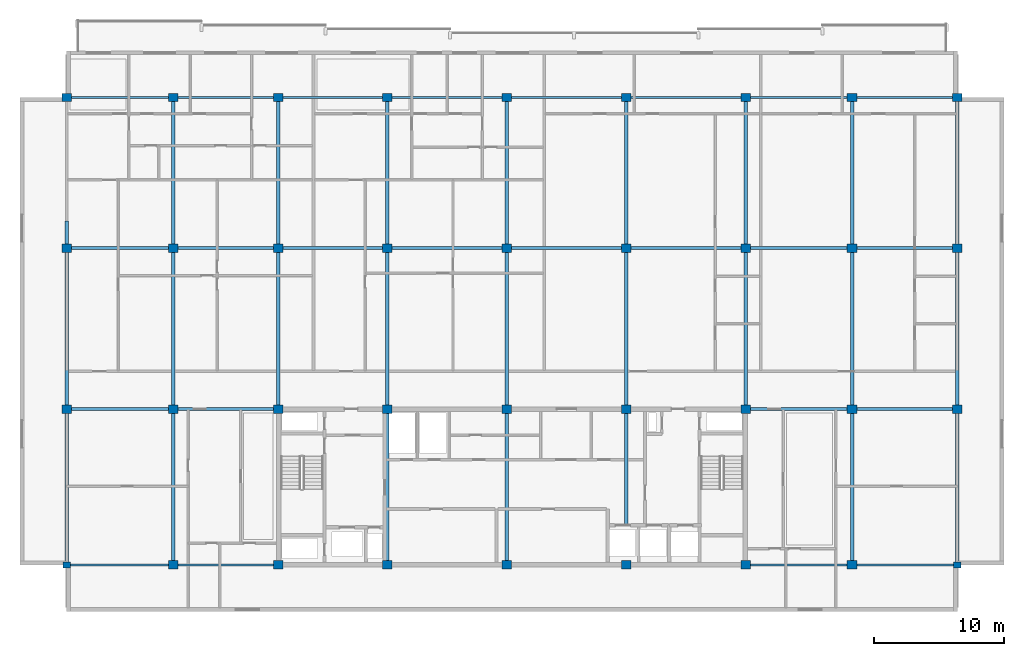
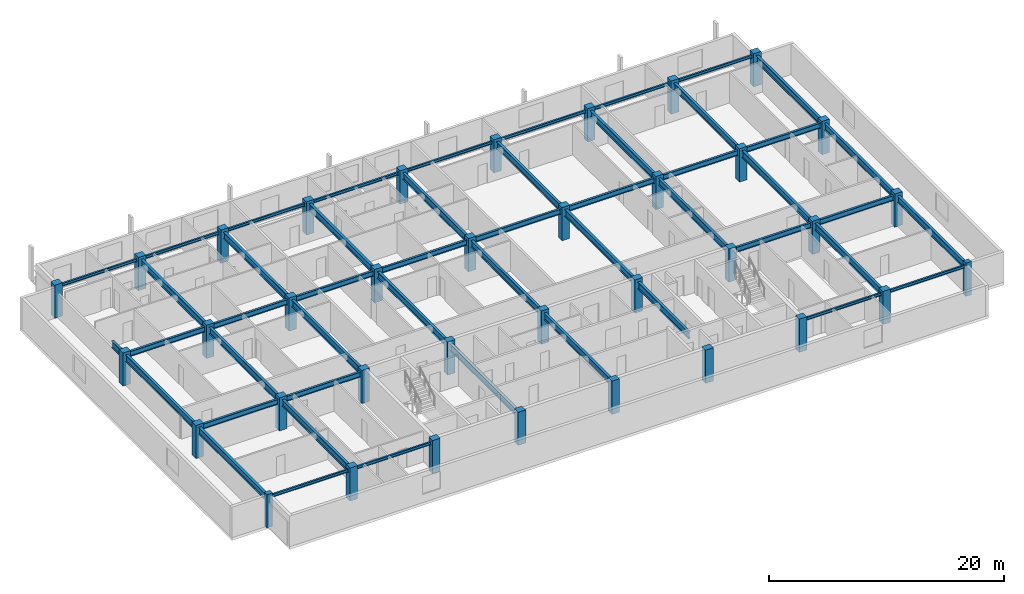
# One storey, part 1 of 11: 49 beams, 36 columns.
"""IFC4 building model written with IfcOpenShell, lengths in metres."""

from ifc_helpers import new_model, si_unit, direction, frame, origin, origin_2d, place, context, subcontext, project, spatial, rectangle, i_section, extrude, material, material_profile, profile_set, type_object, element, save


model = new_model("IFC4")

# Units and contexts
model_context = context("Model", 3, precision=1e-05, world=origin(), true_north=direction((0.0, 1.0)))
body_context = subcontext(model_context, "Body", "Model", "MODEL_VIEW")
ifc_project = project(units=[si_unit("LENGTHUNIT", "METRE"), si_unit("AREAUNIT", "SQUARE_METRE"), si_unit("VOLUMEUNIT", "CUBIC_METRE"), si_unit("PLANEANGLEUNIT", "RADIAN"), si_unit("MASSUNIT", "GRAM", prefix="KILO")], contexts=[model_context])

# Site, building, storey
site_placement = place(None, origin())
site = spatial("IfcSite", under=ifc_project, at=site_placement, CompositionType="ELEMENT")
building_placement = place(site_placement, origin())
building = spatial("IfcBuilding", under=site, at=building_placement, Name="Korimba Cascade Residences", CompositionType="ELEMENT")
storey_placement = place(building_placement, frame((0.0, 0.0, 256.25)))
storey = spatial("IfcBuildingStorey", under=building, at=storey_placement, Name="L74", CompositionType="ELEMENT", Elevation=256.25)

# Columns
ifc_material_1 = material(Name="Concrete C65/80", Category="concrete")
ifc_material_profile_1 = material_profile(ifc_material_1, rectangle(XDim=0.550048828125, YDim=0.449951171875, at=origin_2d()), Name="Concrete C65/80")
ifc_profile_set_1 = profile_set([ifc_material_profile_1], Name="Concrete C65/80")
column_type_1 = type_object("IfcColumnType", Name="COL-PIL-550", PredefinedType="PILASTER", material=ifc_profile_set_1)
for number, where, z_axis, x_axis, name in (
    (1, (59.800048828125, 55.199951171875, 0.0), (0.0, 0.0, 1.0), (1.0, 0.0, 0.0), "L74 Tower 1 Column 1.1"),
    (2, (128.39990234375, 55.199951171875, 0.0), (0.0, 0.0, 1.0), (1.0, 0.0, 0.0), "L74 Tower 1 Column 9.1"),
):
    element("IfcColumn", number, at=place(storey_placement, frame(where, z_axis=z_axis, x_axis=x_axis)), inside=storey, type_object=column_type_1, Name=name, PredefinedType="PILASTER", context=body_context, shape_type="SweptSolid", body=[
        extrude(rectangle(XDim=0.550048828125, YDim=0.449951171875, at=origin_2d()), origin(), (0.0, 0.0, 1.0), 3.449951171875),
    ])
ifc_material_2 = material(Name="Concrete C50/60", Category="concrete")
ifc_material_profile_2 = material_profile(ifc_material_2, rectangle(XDim=0.75, YDim=0.64990234375, at=origin_2d()), Name="Concrete C50/60")
ifc_profile_set_2 = profile_set([ifc_material_profile_2], Name="Concrete C50/60")
column_type_2 = type_object("IfcColumnType", Name="COL-RC-750", PredefinedType="COLUMN", material=ifc_profile_set_2)
for number, where, z_axis, x_axis, name in (
    (3, (59.800048828125, 67.199951171875, 0.0), (0.0, 0.0, 1.0), (1.0, 0.0, 0.0), "L74 Tower 1 Column 1.2"),
    (4, (59.800048828125, 79.60009765625, 0.0), (0.0, 0.0, 1.0), (1.0, 0.0, 0.0), "L74 Tower 1 Column 1.3"),
    (5, (59.800048828125, 91.199951171875, 0.0), (0.0, 0.0, 1.0), (1.0, 0.0, 0.0), "L74 Tower 1 Column 1.4"),
    (6, (68.0, 55.199951171875, 0.0), (0.0, 0.0, 1.0), (1.0, 0.0, 0.0), "L74 Tower 1 Column 2.1"),
    (7, (68.0, 67.199951171875, 0.0), (0.0, 0.0, 1.0), (1.0, 0.0, 0.0), "L74 Tower 1 Column 2.2"),
    (8, (68.0, 79.60009765625, 0.0), (0.0, 0.0, 1.0), (1.0, 0.0, 0.0), "L74 Tower 1 Column 2.3"),
    (9, (68.0, 91.199951171875, 0.0), (0.0, 0.0, 1.0), (1.0, 0.0, 0.0), "L74 Tower 1 Column 2.4"),
    (10, (76.10009765625, 55.199951171875, 0.0), (0.0, 0.0, 1.0), (1.0, 0.0, 0.0), "L74 Tower 1 Column 3.1"),
    (11, (76.10009765625, 67.199951171875, 0.0), (0.0, 0.0, 1.0), (1.0, 0.0, 0.0), "L74 Tower 1 Column 3.2"),
    (12, (76.10009765625, 79.60009765625, 0.0), (0.0, 0.0, 1.0), (1.0, 0.0, 0.0), "L74 Tower 1 Column 3.3"),
    (13, (76.10009765625, 91.199951171875, 0.0), (0.0, 0.0, 1.0), (1.0, 0.0, 0.0), "L74 Tower 1 Column 3.4"),
    (14, (84.5, 55.199951171875, 0.0), (0.0, 0.0, 1.0), (1.0, 0.0, 0.0), "L74 Tower 1 Column 4.1"),
    (15, (84.5, 67.199951171875, 0.0), (0.0, 0.0, 1.0), (1.0, 0.0, 0.0), "L74 Tower 1 Column 4.2"),
    (16, (84.5, 79.60009765625, 0.0), (0.0, 0.0, 1.0), (1.0, 0.0, 0.0), "L74 Tower 1 Column 4.3"),
    (17, (84.5, 91.199951171875, 0.0), (0.0, 0.0, 1.0), (1.0, 0.0, 0.0), "L74 Tower 1 Column 4.4"),
    (18, (93.699951171875, 55.199951171875, 0.0), (0.0, 0.0, 1.0), (1.0, 0.0, 0.0), "L74 Tower 1 Column 5.1"),
    (19, (93.699951171875, 67.199951171875, 0.0), (0.0, 0.0, 1.0), (1.0, 0.0, 0.0), "L74 Tower 1 Column 5.2"),
    (20, (93.699951171875, 79.60009765625, 0.0), (0.0, 0.0, 1.0), (1.0, 0.0, 0.0), "L74 Tower 1 Column 5.3"),
    (21, (93.699951171875, 91.199951171875, 0.0), (0.0, 0.0, 1.0), (1.0, 0.0, 0.0), "L74 Tower 1 Column 5.4"),
    (22, (102.89990234375, 55.199951171875, 0.0), (0.0, 0.0, 1.0), (1.0, 0.0, 0.0), "L74 Tower 1 Column 6.1"),
    (23, (102.89990234375, 67.199951171875, 0.0), (0.0, 0.0, 1.0), (1.0, 0.0, 0.0), "L74 Tower 1 Column 6.2"),
    (24, (102.89990234375, 79.60009765625, 0.0), (0.0, 0.0, 1.0), (1.0, 0.0, 0.0), "L74 Tower 1 Column 6.3"),
    (25, (102.89990234375, 91.199951171875, 0.0), (0.0, 0.0, 1.0), (1.0, 0.0, 0.0), "L74 Tower 1 Column 6.4"),
    (26, (112.10009765625, 55.199951171875, 0.0), (0.0, 0.0, 1.0), (1.0, 0.0, 0.0), "L74 Tower 1 Column 7.1"),
    (27, (112.10009765625, 67.199951171875, 0.0), (0.0, 0.0, 1.0), (1.0, 0.0, 0.0), "L74 Tower 1 Column 7.2"),
    (28, (112.10009765625, 79.60009765625, 0.0), (0.0, 0.0, 1.0), (1.0, 0.0, 0.0), "L74 Tower 1 Column 7.3"),
    (29, (112.10009765625, 91.199951171875, 0.0), (0.0, 0.0, 1.0), (1.0, 0.0, 0.0), "L74 Tower 1 Column 7.4"),
    (30, (120.300048828125, 55.199951171875, 0.0), (0.0, 0.0, 1.0), (1.0, 0.0, 0.0), "L74 Tower 1 Column 8.1"),
    (31, (120.300048828125, 67.199951171875, 0.0), (0.0, 0.0, 1.0), (1.0, 0.0, 0.0), "L74 Tower 1 Column 8.2"),
    (32, (120.300048828125, 79.60009765625, 0.0), (0.0, 0.0, 1.0), (1.0, 0.0, 0.0), "L74 Tower 1 Column 8.3"),
    (33, (120.300048828125, 91.199951171875, 0.0), (0.0, 0.0, 1.0), (1.0, 0.0, 0.0), "L74 Tower 1 Column 8.4"),
    (34, (128.39990234375, 67.199951171875, 0.0), (0.0, 0.0, 1.0), (1.0, 0.0, 0.0), "L74 Tower 1 Column 9.2"),
    (35, (128.39990234375, 79.60009765625, 0.0), (0.0, 0.0, 1.0), (1.0, 0.0, 0.0), "L74 Tower 1 Column 9.3"),
    (36, (128.39990234375, 91.199951171875, 0.0), (0.0, 0.0, 1.0), (1.0, 0.0, 0.0), "L74 Tower 1 Column 9.4"),
):
    element("IfcColumn", number, at=place(storey_placement, frame(where, z_axis=z_axis, x_axis=x_axis)), inside=storey, type_object=column_type_2, Name=name, PredefinedType="COLUMN", context=body_context, shape_type="SweptSolid", body=[
        extrude(rectangle(XDim=0.75, YDim=0.64990234375, at=origin_2d()), origin(), (0.0, 0.0, 1.0), 3.449951171875),
    ])

# Beams
ifc_material_3 = material(Name="Steel S355", Category="steel")
ifc_material_profile_3 = material_profile(ifc_material_3, i_section(OverallWidth=0.165771484375, OverallDepth=0.306640625, WebThickness=0.006591796875, FlangeThickness=0.01171875, FilletRadius=0.0087890625, at=origin_2d()), Name="Steel S355")
ifc_profile_set_3 = profile_set([ifc_material_profile_3], Name="Steel S355")
beam_type_1 = type_object("IfcBeamType", Name="BM-STL-UB305", PredefinedType="SPANDREL", material=ifc_profile_set_3)
beam_1_placement = place(storey_placement, frame((60.074951171875, 55.199951171875, 3.0166015625), z_axis=(1.0, 0.0, 0.0), x_axis=(0.0, 1.0, 0.0)))
element("IfcBeam", 37, at=beam_1_placement, inside=storey, type_object=beam_type_1, Name="L74 T1 E-W Girder Y1 Bay 1", PredefinedType="SPANDREL", context=body_context, shape_type="SweptSolid", body=[
    extrude(i_section(OverallWidth=0.165771484375, OverallDepth=0.306640625, WebThickness=0.006591796875, FlangeThickness=0.01171875, FilletRadius=0.0087890625, at=origin_2d()), origin(), (0.0, 0.0, 1.0), 7.550048828125),
])
beam_2_placement = place(storey_placement, frame((68.375, 55.199951171875, 3.0166015625), z_axis=(1.0, 0.0, 0.0), x_axis=(0.0, 1.0, 0.0)))
element("IfcBeam", 38, at=beam_2_placement, inside=storey, type_object=beam_type_1, Name="L74 T1 E-W Girder Y1 Bay 2", PredefinedType="SPANDREL", context=body_context, shape_type="SweptSolid", body=[
    extrude(i_section(OverallWidth=0.165771484375, OverallDepth=0.306640625, WebThickness=0.006591796875, FlangeThickness=0.01171875, FilletRadius=0.0087890625, at=origin_2d()), origin(), (0.0, 0.0, 1.0), 7.35009765625),
])
for number, where, z_axis, x_axis, name in (
    (39, (112.47509765625, 55.199951171875, 3.0166015625), (1.0, 0.0, 0.0), (0.0, 1.0, 0.0), "L74 T1 E-W Girder Y1 Bay 7"),
    (40, (120.675048828125, 55.199951171875, 3.0166015625), (1.0, 0.0, 0.0), (0.0, 1.0, 0.0), "L74 T1 E-W Girder Y1 Bay 8"),
    (41, (60.175048828125, 91.199951171875, 3.0166015625), (1.0, 0.0, 0.0), (0.0, 1.0, 0.0), "L74 T1 E-W Girder Y4 Bay 1"),
):
    element("IfcBeam", number, at=place(storey_placement, frame(where, z_axis=z_axis, x_axis=x_axis)), inside=storey, type_object=beam_type_1, Name=name, PredefinedType="SPANDREL", context=body_context, shape_type="SweptSolid", body=[
        extrude(i_section(OverallWidth=0.165771484375, OverallDepth=0.306640625, WebThickness=0.006591796875, FlangeThickness=0.01171875, FilletRadius=0.0087890625, at=origin_2d()), origin(), (0.0, 0.0, 1.0), 7.449951171875),
    ])
beam_3_placement = place(storey_placement, frame((68.375, 91.199951171875, 3.0166015625), z_axis=(1.0, 0.0, 0.0), x_axis=(0.0, 1.0, 0.0)))
element("IfcBeam", 42, at=beam_3_placement, inside=storey, type_object=beam_type_1, Name="L74 T1 E-W Girder Y4 Bay 2", PredefinedType="SPANDREL", context=body_context, shape_type="SweptSolid", body=[
    extrude(i_section(OverallWidth=0.165771484375, OverallDepth=0.306640625, WebThickness=0.006591796875, FlangeThickness=0.01171875, FilletRadius=0.0087890625, at=origin_2d()), origin(), (0.0, 0.0, 1.0), 7.35009765625),
])
beam_4_placement = place(storey_placement, frame((76.47509765625, 91.199951171875, 3.0166015625), z_axis=(1.0, 0.0, 0.0), x_axis=(0.0, 1.0, 0.0)))
element("IfcBeam", 43, at=beam_4_placement, inside=storey, type_object=beam_type_1, Name="L74 T1 E-W Girder Y4 Bay 3", PredefinedType="SPANDREL", context=body_context, shape_type="SweptSolid", body=[
    extrude(i_section(OverallWidth=0.165771484375, OverallDepth=0.306640625, WebThickness=0.006591796875, FlangeThickness=0.01171875, FilletRadius=0.0087890625, at=origin_2d()), origin(), (0.0, 0.0, 1.0), 7.64990234375),
])
for number, where, z_axis, x_axis, name in (
    (44, (84.875, 91.199951171875, 3.0166015625), (1.0, 0.0, 0.0), (0.0, 1.0, 0.0), "L74 T1 E-W Girder Y4 Bay 4"),
    (45, (94.074951171875, 91.199951171875, 3.0166015625), (1.0, 0.0, 0.0), (0.0, 1.0, 0.0), "L74 T1 E-W Girder Y4 Bay 5"),
):
    element("IfcBeam", number, at=place(storey_placement, frame(where, z_axis=z_axis, x_axis=x_axis)), inside=storey, type_object=beam_type_1, Name=name, PredefinedType="SPANDREL", context=body_context, shape_type="SweptSolid", body=[
        extrude(i_section(OverallWidth=0.165771484375, OverallDepth=0.306640625, WebThickness=0.006591796875, FlangeThickness=0.01171875, FilletRadius=0.0087890625, at=origin_2d()), origin(), (0.0, 0.0, 1.0), 8.449951171875),
    ])
beam_5_placement = place(storey_placement, frame((103.27490234375, 91.199951171875, 3.0166015625), z_axis=(1.0, 0.0, 0.0), x_axis=(0.0, 1.0, 0.0)))
element("IfcBeam", 46, at=beam_5_placement, inside=storey, type_object=beam_type_1, Name="L74 T1 E-W Girder Y4 Bay 6", PredefinedType="SPANDREL", context=body_context, shape_type="SweptSolid", body=[
    extrude(i_section(OverallWidth=0.165771484375, OverallDepth=0.306640625, WebThickness=0.006591796875, FlangeThickness=0.01171875, FilletRadius=0.0087890625, at=origin_2d()), origin(), (0.0, 0.0, 1.0), 8.4501953125),
])
beam_6_placement = place(storey_placement, frame((112.47509765625, 91.199951171875, 3.0166015625), z_axis=(1.0, 0.0, 0.0), x_axis=(0.0, 1.0, 0.0)))
element("IfcBeam", 47, at=beam_6_placement, inside=storey, type_object=beam_type_1, Name="L74 T1 E-W Girder Y4 Bay 7", PredefinedType="SPANDREL", context=body_context, shape_type="SweptSolid", body=[
    extrude(i_section(OverallWidth=0.165771484375, OverallDepth=0.306640625, WebThickness=0.006591796875, FlangeThickness=0.01171875, FilletRadius=0.0087890625, at=origin_2d()), origin(), (0.0, 0.0, 1.0), 7.449951171875),
])
beam_7_placement = place(storey_placement, frame((120.675048828125, 91.199951171875, 3.0166015625), z_axis=(1.0, 0.0, 0.0), x_axis=(0.0, 1.0, 0.0)))
element("IfcBeam", 48, at=beam_7_placement, inside=storey, type_object=beam_type_1, Name="L74 T1 E-W Girder Y4 Bay 8", PredefinedType="SPANDREL", context=body_context, shape_type="SweptSolid", body=[
    extrude(i_section(OverallWidth=0.165771484375, OverallDepth=0.306640625, WebThickness=0.006591796875, FlangeThickness=0.01171875, FilletRadius=0.0087890625, at=origin_2d()), origin(), (0.0, 0.0, 1.0), 7.349853515625),
])
ifc_material_profile_4 = material_profile(ifc_material_3, i_section(OverallWidth=0.2099609375, OverallDepth=0.53662109375, WebThickness=0.0107421875, FlangeThickness=0.017333984375, FilletRadius=0.0126953125, at=origin_2d()), Name="Steel S355")
ifc_profile_set_4 = profile_set([ifc_material_profile_4], Name="Steel S355")
beam_type_2 = type_object("IfcBeamType", Name="BM-STL-UB533", PredefinedType="BEAM", material=ifc_profile_set_4)
beam_8_placement = place(storey_placement, frame((60.175048828125, 67.199951171875, 2.901611328125), z_axis=(1.0, 0.0, 0.0), x_axis=(0.0, 1.0, 0.0)))
element("IfcBeam", 49, at=beam_8_placement, inside=storey, type_object=beam_type_2, Name="L74 T1 E-W Girder Y2 Bay 1", PredefinedType="BEAM", context=body_context, shape_type="SweptSolid", body=[
    extrude(i_section(OverallWidth=0.2099609375, OverallDepth=0.53662109375, WebThickness=0.0107421875, FlangeThickness=0.017333984375, FilletRadius=0.0126953125, at=origin_2d()), origin(), (0.0, 0.0, 1.0), 7.449951171875),
])
beam_9_placement = place(storey_placement, frame((68.375, 67.199951171875, 2.901611328125), z_axis=(1.0, 0.0, 0.0), x_axis=(0.0, 1.0, 0.0)))
element("IfcBeam", 50, at=beam_9_placement, inside=storey, type_object=beam_type_2, Name="L74 T1 E-W Girder Y2 Bay 2", PredefinedType="BEAM", context=body_context, shape_type="SweptSolid", body=[
    extrude(i_section(OverallWidth=0.2099609375, OverallDepth=0.53662109375, WebThickness=0.0107421875, FlangeThickness=0.017333984375, FilletRadius=0.0126953125, at=origin_2d()), origin(), (0.0, 0.0, 1.0), 7.35009765625),
])
beam_10_placement = place(storey_placement, frame((112.47509765625, 67.199951171875, 2.901611328125), z_axis=(1.0, 0.0, 0.0), x_axis=(0.0, 1.0, 0.0)))
element("IfcBeam", 51, at=beam_10_placement, inside=storey, type_object=beam_type_2, Name="L74 T1 E-W Girder Y2 Bay 7", PredefinedType="BEAM", context=body_context, shape_type="SweptSolid", body=[
    extrude(i_section(OverallWidth=0.2099609375, OverallDepth=0.53662109375, WebThickness=0.0107421875, FlangeThickness=0.017333984375, FilletRadius=0.0126953125, at=origin_2d()), origin(), (0.0, 0.0, 1.0), 7.449951171875),
])
beam_11_placement = place(storey_placement, frame((120.675048828125, 67.199951171875, 2.901611328125), z_axis=(1.0, 0.0, 0.0), x_axis=(0.0, 1.0, 0.0)))
element("IfcBeam", 52, at=beam_11_placement, inside=storey, type_object=beam_type_2, Name="L74 T1 E-W Girder Y2 Bay 8", PredefinedType="BEAM", context=body_context, shape_type="SweptSolid", body=[
    extrude(i_section(OverallWidth=0.2099609375, OverallDepth=0.53662109375, WebThickness=0.0107421875, FlangeThickness=0.017333984375, FilletRadius=0.0126953125, at=origin_2d()), origin(), (0.0, 0.0, 1.0), 7.349853515625),
])
beam_12_placement = place(storey_placement, frame((60.175048828125, 79.60009765625, 2.901611328125), z_axis=(1.0, 0.0, 0.0), x_axis=(0.0, 1.0, 0.0)))
element("IfcBeam", 53, at=beam_12_placement, inside=storey, type_object=beam_type_2, Name="L74 T1 E-W Girder Y3 Bay 1", PredefinedType="BEAM", context=body_context, shape_type="SweptSolid", body=[
    extrude(i_section(OverallWidth=0.2099609375, OverallDepth=0.53662109375, WebThickness=0.0107421875, FlangeThickness=0.017333984375, FilletRadius=0.0126953125, at=origin_2d()), origin(), (0.0, 0.0, 1.0), 7.449951171875),
])
beam_13_placement = place(storey_placement, frame((68.375, 79.60009765625, 2.901611328125), z_axis=(1.0, 0.0, 0.0), x_axis=(0.0, 1.0, 0.0)))
element("IfcBeam", 54, at=beam_13_placement, inside=storey, type_object=beam_type_2, Name="L74 T1 E-W Girder Y3 Bay 2", PredefinedType="BEAM", context=body_context, shape_type="SweptSolid", body=[
    extrude(i_section(OverallWidth=0.2099609375, OverallDepth=0.53662109375, WebThickness=0.0107421875, FlangeThickness=0.017333984375, FilletRadius=0.0126953125, at=origin_2d()), origin(), (0.0, 0.0, 1.0), 7.35009765625),
])
beam_14_placement = place(storey_placement, frame((76.47509765625, 79.60009765625, 2.901611328125), z_axis=(1.0, 0.0, 0.0), x_axis=(0.0, 1.0, 0.0)))
element("IfcBeam", 55, at=beam_14_placement, inside=storey, type_object=beam_type_2, Name="L74 T1 E-W Girder Y3 Bay 3", PredefinedType="BEAM", context=body_context, shape_type="SweptSolid", body=[
    extrude(i_section(OverallWidth=0.2099609375, OverallDepth=0.53662109375, WebThickness=0.0107421875, FlangeThickness=0.017333984375, FilletRadius=0.0126953125, at=origin_2d()), origin(), (0.0, 0.0, 1.0), 7.64990234375),
])
for number, where, z_axis, x_axis, name in (
    (56, (84.875, 79.60009765625, 2.901611328125), (1.0, 0.0, 0.0), (0.0, 1.0, 0.0), "L74 T1 E-W Girder Y3 Bay 4"),
    (57, (94.074951171875, 79.60009765625, 2.901611328125), (1.0, 0.0, 0.0), (0.0, 1.0, 0.0), "L74 T1 E-W Girder Y3 Bay 5"),
):
    element("IfcBeam", number, at=place(storey_placement, frame(where, z_axis=z_axis, x_axis=x_axis)), inside=storey, type_object=beam_type_2, Name=name, PredefinedType="BEAM", context=body_context, shape_type="SweptSolid", body=[
        extrude(i_section(OverallWidth=0.2099609375, OverallDepth=0.53662109375, WebThickness=0.0107421875, FlangeThickness=0.017333984375, FilletRadius=0.0126953125, at=origin_2d()), origin(), (0.0, 0.0, 1.0), 8.449951171875),
    ])
beam_15_placement = place(storey_placement, frame((103.27490234375, 79.60009765625, 2.901611328125), z_axis=(1.0, 0.0, 0.0), x_axis=(0.0, 1.0, 0.0)))
element("IfcBeam", 58, at=beam_15_placement, inside=storey, type_object=beam_type_2, Name="L74 T1 E-W Girder Y3 Bay 6", PredefinedType="BEAM", context=body_context, shape_type="SweptSolid", body=[
    extrude(i_section(OverallWidth=0.2099609375, OverallDepth=0.53662109375, WebThickness=0.0107421875, FlangeThickness=0.017333984375, FilletRadius=0.0126953125, at=origin_2d()), origin(), (0.0, 0.0, 1.0), 8.4501953125),
])
beam_16_placement = place(storey_placement, frame((112.47509765625, 79.60009765625, 2.901611328125), z_axis=(1.0, 0.0, 0.0), x_axis=(0.0, 1.0, 0.0)))
element("IfcBeam", 59, at=beam_16_placement, inside=storey, type_object=beam_type_2, Name="L74 T1 E-W Girder Y3 Bay 7", PredefinedType="BEAM", context=body_context, shape_type="SweptSolid", body=[
    extrude(i_section(OverallWidth=0.2099609375, OverallDepth=0.53662109375, WebThickness=0.0107421875, FlangeThickness=0.017333984375, FilletRadius=0.0126953125, at=origin_2d()), origin(), (0.0, 0.0, 1.0), 7.449951171875),
])
beam_17_placement = place(storey_placement, frame((120.675048828125, 79.60009765625, 2.901611328125), z_axis=(1.0, 0.0, 0.0), x_axis=(0.0, 1.0, 0.0)))
element("IfcBeam", 60, at=beam_17_placement, inside=storey, type_object=beam_type_2, Name="L74 T1 E-W Girder Y3 Bay 8", PredefinedType="BEAM", context=body_context, shape_type="SweptSolid", body=[
    extrude(i_section(OverallWidth=0.2099609375, OverallDepth=0.53662109375, WebThickness=0.0107421875, FlangeThickness=0.017333984375, FilletRadius=0.0126953125, at=origin_2d()), origin(), (0.0, 0.0, 1.0), 7.349853515625),
])
ifc_material_profile_5 = material_profile(ifc_material_3, i_section(OverallWidth=0.255859375, OverallDepth=0.69287109375, WebThickness=0.014404296875, FlangeThickness=0.023681640625, FilletRadius=0.01513671875, at=origin_2d()), Name="Steel S355")
ifc_profile_set_5 = profile_set([ifc_material_profile_5], Name="Steel S355")
beam_type_3 = type_object("IfcBeamType", Name="BM-STL-UB686", PredefinedType="BEAM", material=ifc_profile_set_5)
beam_18_placement = place(storey_placement, frame((59.800048828125, 55.425048828125, 2.823486328125), z_axis=(0.0, 1.0, 0.0), x_axis=(-1.0, 0.0, 0.0)))
element("IfcBeam", 61, at=beam_18_placement, inside=storey, type_object=beam_type_3, Name="L74 T1 N-S Girder X1 Seg 1", PredefinedType="BEAM", context=body_context, shape_type="SweptSolid", body=[
    extrude(i_section(OverallWidth=0.255859375, OverallDepth=0.69287109375, WebThickness=0.014404296875, FlangeThickness=0.023681640625, FilletRadius=0.01513671875, at=origin_2d()), origin(), (0.0, 0.0, 1.0), 11.449951171875),
])
beam_19_placement = place(storey_placement, frame((59.800048828125, 67.52490234375, 2.823486328125), z_axis=(0.0, 1.0, 0.0), x_axis=(-1.0, 0.0, 0.0)))
element("IfcBeam", 62, at=beam_19_placement, inside=storey, type_object=beam_type_3, Name="L74 T1 N-S Girder X1 Seg 2", PredefinedType="BEAM", context=body_context, shape_type="SweptSolid", body=[
    extrude(i_section(OverallWidth=0.255859375, OverallDepth=0.69287109375, WebThickness=0.014404296875, FlangeThickness=0.023681640625, FilletRadius=0.01513671875, at=origin_2d()), origin(), (0.0, 0.0, 1.0), 11.75),
])
beam_20_placement = place(storey_placement, frame((59.800048828125, 79.925048828125, 2.823486328125), z_axis=(0.0, 1.0, 0.0), x_axis=(-1.0, 0.0, 0.0)))
element("IfcBeam", 63, at=beam_20_placement, inside=storey, type_object=beam_type_3, Name="L74 T1 N-S Girder X1 Seg 3", PredefinedType="BEAM", context=body_context, shape_type="SweptSolid", body=[
    extrude(i_section(OverallWidth=0.255859375, OverallDepth=0.69287109375, WebThickness=0.014404296875, FlangeThickness=0.023681640625, FilletRadius=0.01513671875, at=origin_2d()), origin(), (0.0, 0.0, 1.0), 1.77490234375),
])
beam_21_placement = place(storey_placement, frame((68.0, 55.52490234375, 2.823486328125), z_axis=(0.0, 1.0, 0.0), x_axis=(-1.0, 0.0, 0.0)))
element("IfcBeam", 64, at=beam_21_placement, inside=storey, type_object=beam_type_3, Name="L74 T1 N-S Girder X2 Seg 1", PredefinedType="BEAM", context=body_context, shape_type="SweptSolid", body=[
    extrude(i_section(OverallWidth=0.255859375, OverallDepth=0.69287109375, WebThickness=0.014404296875, FlangeThickness=0.023681640625, FilletRadius=0.01513671875, at=origin_2d()), origin(), (0.0, 0.0, 1.0), 11.35009765625),
])
beam_22_placement = place(storey_placement, frame((68.0, 67.52490234375, 2.823486328125), z_axis=(0.0, 1.0, 0.0), x_axis=(-1.0, 0.0, 0.0)))
element("IfcBeam", 65, at=beam_22_placement, inside=storey, type_object=beam_type_3, Name="L74 T1 N-S Girder X2 Seg 2", PredefinedType="BEAM", context=body_context, shape_type="SweptSolid", body=[
    extrude(i_section(OverallWidth=0.255859375, OverallDepth=0.69287109375, WebThickness=0.014404296875, FlangeThickness=0.023681640625, FilletRadius=0.01513671875, at=origin_2d()), origin(), (0.0, 0.0, 1.0), 11.75),
])
beam_23_placement = place(storey_placement, frame((68.0, 79.925048828125, 2.823486328125), z_axis=(0.0, 1.0, 0.0), x_axis=(-1.0, 0.0, 0.0)))
element("IfcBeam", 66, at=beam_23_placement, inside=storey, type_object=beam_type_3, Name="L74 T1 N-S Girder X2 Seg 3", PredefinedType="BEAM", context=body_context, shape_type="SweptSolid", body=[
    extrude(i_section(OverallWidth=0.255859375, OverallDepth=0.69287109375, WebThickness=0.014404296875, FlangeThickness=0.023681640625, FilletRadius=0.01513671875, at=origin_2d()), origin(), (0.0, 0.0, 1.0), 10.949951171875),
])
beam_24_placement = place(storey_placement, frame((76.10009765625, 67.52490234375, 2.823486328125), z_axis=(0.0, 1.0, 0.0), x_axis=(-1.0, 0.0, 0.0)))
element("IfcBeam", 67, at=beam_24_placement, inside=storey, type_object=beam_type_3, Name="L74 T1 N-S Girder X3 Seg 2", PredefinedType="BEAM", context=body_context, shape_type="SweptSolid", body=[
    extrude(i_section(OverallWidth=0.255859375, OverallDepth=0.69287109375, WebThickness=0.014404296875, FlangeThickness=0.023681640625, FilletRadius=0.01513671875, at=origin_2d()), origin(), (0.0, 0.0, 1.0), 11.75),
])
beam_25_placement = place(storey_placement, frame((76.10009765625, 79.925048828125, 2.823486328125), z_axis=(0.0, 1.0, 0.0), x_axis=(-1.0, 0.0, 0.0)))
element("IfcBeam", 68, at=beam_25_placement, inside=storey, type_object=beam_type_3, Name="L74 T1 N-S Girder X3 Seg 3", PredefinedType="BEAM", context=body_context, shape_type="SweptSolid", body=[
    extrude(i_section(OverallWidth=0.255859375, OverallDepth=0.69287109375, WebThickness=0.014404296875, FlangeThickness=0.023681640625, FilletRadius=0.01513671875, at=origin_2d()), origin(), (0.0, 0.0, 1.0), 10.949951171875),
])
beam_26_placement = place(storey_placement, frame((84.5, 55.52490234375, 2.823486328125), z_axis=(0.0, 1.0, 0.0), x_axis=(-1.0, 0.0, 0.0)))
element("IfcBeam", 69, at=beam_26_placement, inside=storey, type_object=beam_type_3, Name="L74 T1 N-S Girder X4 Seg 1", PredefinedType="BEAM", context=body_context, shape_type="SweptSolid", body=[
    extrude(i_section(OverallWidth=0.255859375, OverallDepth=0.69287109375, WebThickness=0.014404296875, FlangeThickness=0.023681640625, FilletRadius=0.01513671875, at=origin_2d()), origin(), (0.0, 0.0, 1.0), 11.35009765625),
])
beam_27_placement = place(storey_placement, frame((84.5, 67.52490234375, 2.823486328125), z_axis=(0.0, 1.0, 0.0), x_axis=(-1.0, 0.0, 0.0)))
element("IfcBeam", 70, at=beam_27_placement, inside=storey, type_object=beam_type_3, Name="L74 T1 N-S Girder X4 Seg 2", PredefinedType="BEAM", context=body_context, shape_type="SweptSolid", body=[
    extrude(i_section(OverallWidth=0.255859375, OverallDepth=0.69287109375, WebThickness=0.014404296875, FlangeThickness=0.023681640625, FilletRadius=0.01513671875, at=origin_2d()), origin(), (0.0, 0.0, 1.0), 11.75),
])
beam_28_placement = place(storey_placement, frame((84.5, 79.925048828125, 2.823486328125), z_axis=(0.0, 1.0, 0.0), x_axis=(-1.0, 0.0, 0.0)))
element("IfcBeam", 71, at=beam_28_placement, inside=storey, type_object=beam_type_3, Name="L74 T1 N-S Girder X4 Seg 3", PredefinedType="BEAM", context=body_context, shape_type="SweptSolid", body=[
    extrude(i_section(OverallWidth=0.255859375, OverallDepth=0.69287109375, WebThickness=0.014404296875, FlangeThickness=0.023681640625, FilletRadius=0.01513671875, at=origin_2d()), origin(), (0.0, 0.0, 1.0), 10.949951171875),
])
beam_29_placement = place(storey_placement, frame((93.699951171875, 55.52490234375, 2.823486328125), z_axis=(0.0, 1.0, 0.0), x_axis=(-1.0, 0.0, 0.0)))
element("IfcBeam", 72, at=beam_29_placement, inside=storey, type_object=beam_type_3, Name="L74 T1 N-S Girder X5 Seg 1", PredefinedType="BEAM", context=body_context, shape_type="SweptSolid", body=[
    extrude(i_section(OverallWidth=0.255859375, OverallDepth=0.69287109375, WebThickness=0.014404296875, FlangeThickness=0.023681640625, FilletRadius=0.01513671875, at=origin_2d()), origin(), (0.0, 0.0, 1.0), 11.35009765625),
])
beam_30_placement = place(storey_placement, frame((93.699951171875, 67.52490234375, 2.823486328125), z_axis=(0.0, 1.0, 0.0), x_axis=(-1.0, 0.0, 0.0)))
element("IfcBeam", 73, at=beam_30_placement, inside=storey, type_object=beam_type_3, Name="L74 T1 N-S Girder X5 Seg 2", PredefinedType="BEAM", context=body_context, shape_type="SweptSolid", body=[
    extrude(i_section(OverallWidth=0.255859375, OverallDepth=0.69287109375, WebThickness=0.014404296875, FlangeThickness=0.023681640625, FilletRadius=0.01513671875, at=origin_2d()), origin(), (0.0, 0.0, 1.0), 11.75),
])
beam_31_placement = place(storey_placement, frame((93.699951171875, 79.925048828125, 2.823486328125), z_axis=(0.0, 1.0, 0.0), x_axis=(-1.0, 0.0, 0.0)))
element("IfcBeam", 74, at=beam_31_placement, inside=storey, type_object=beam_type_3, Name="L74 T1 N-S Girder X5 Seg 3", PredefinedType="BEAM", context=body_context, shape_type="SweptSolid", body=[
    extrude(i_section(OverallWidth=0.255859375, OverallDepth=0.69287109375, WebThickness=0.014404296875, FlangeThickness=0.023681640625, FilletRadius=0.01513671875, at=origin_2d()), origin(), (0.0, 0.0, 1.0), 10.949951171875),
])
beam_32_placement = place(storey_placement, frame((102.89990234375, 58.260009765625, 2.823486328125), z_axis=(0.0, 1.0, 0.0), x_axis=(-1.0, 0.0, 0.0)))
element("IfcBeam", 75, at=beam_32_placement, inside=storey, type_object=beam_type_3, Name="L74 T1 N-S Girder X6 Seg 1", PredefinedType="BEAM", context=body_context, shape_type="SweptSolid", body=[
    extrude(i_section(OverallWidth=0.255859375, OverallDepth=0.69287109375, WebThickness=0.014404296875, FlangeThickness=0.023681640625, FilletRadius=0.01513671875, at=origin_2d()), origin(), (0.0, 0.0, 1.0), 8.614990234375),
])
beam_33_placement = place(storey_placement, frame((102.89990234375, 67.52490234375, 2.823486328125), z_axis=(0.0, 1.0, 0.0), x_axis=(-1.0, 0.0, 0.0)))
element("IfcBeam", 76, at=beam_33_placement, inside=storey, type_object=beam_type_3, Name="L74 T1 N-S Girder X6 Seg 2", PredefinedType="BEAM", context=body_context, shape_type="SweptSolid", body=[
    extrude(i_section(OverallWidth=0.255859375, OverallDepth=0.69287109375, WebThickness=0.014404296875, FlangeThickness=0.023681640625, FilletRadius=0.01513671875, at=origin_2d()), origin(), (0.0, 0.0, 1.0), 11.75),
])
beam_34_placement = place(storey_placement, frame((102.89990234375, 79.925048828125, 2.823486328125), z_axis=(0.0, 1.0, 0.0), x_axis=(-1.0, 0.0, 0.0)))
element("IfcBeam", 77, at=beam_34_placement, inside=storey, type_object=beam_type_3, Name="L74 T1 N-S Girder X6 Seg 3", PredefinedType="BEAM", context=body_context, shape_type="SweptSolid", body=[
    extrude(i_section(OverallWidth=0.255859375, OverallDepth=0.69287109375, WebThickness=0.014404296875, FlangeThickness=0.023681640625, FilletRadius=0.01513671875, at=origin_2d()), origin(), (0.0, 0.0, 1.0), 10.949951171875),
])
beam_35_placement = place(storey_placement, frame((112.10009765625, 67.52490234375, 2.823486328125), z_axis=(0.0, 1.0, 0.0), x_axis=(-1.0, 0.0, 0.0)))
element("IfcBeam", 78, at=beam_35_placement, inside=storey, type_object=beam_type_3, Name="L74 T1 N-S Girder X7 Seg 2", PredefinedType="BEAM", context=body_context, shape_type="SweptSolid", body=[
    extrude(i_section(OverallWidth=0.255859375, OverallDepth=0.69287109375, WebThickness=0.014404296875, FlangeThickness=0.023681640625, FilletRadius=0.01513671875, at=origin_2d()), origin(), (0.0, 0.0, 1.0), 11.75),
])
beam_36_placement = place(storey_placement, frame((112.10009765625, 79.925048828125, 2.823486328125), z_axis=(0.0, 1.0, 0.0), x_axis=(-1.0, 0.0, 0.0)))
element("IfcBeam", 79, at=beam_36_placement, inside=storey, type_object=beam_type_3, Name="L74 T1 N-S Girder X7 Seg 3", PredefinedType="BEAM", context=body_context, shape_type="SweptSolid", body=[
    extrude(i_section(OverallWidth=0.255859375, OverallDepth=0.69287109375, WebThickness=0.014404296875, FlangeThickness=0.023681640625, FilletRadius=0.01513671875, at=origin_2d()), origin(), (0.0, 0.0, 1.0), 10.949951171875),
])
beam_37_placement = place(storey_placement, frame((120.300048828125, 55.52490234375, 2.823486328125), z_axis=(0.0, 1.0, 0.0), x_axis=(-1.0, 0.0, 0.0)))
element("IfcBeam", 80, at=beam_37_placement, inside=storey, type_object=beam_type_3, Name="L74 T1 N-S Girder X8 Seg 1", PredefinedType="BEAM", context=body_context, shape_type="SweptSolid", body=[
    extrude(i_section(OverallWidth=0.255859375, OverallDepth=0.69287109375, WebThickness=0.014404296875, FlangeThickness=0.023681640625, FilletRadius=0.01513671875, at=origin_2d()), origin(), (0.0, 0.0, 1.0), 11.35009765625),
])
beam_38_placement = place(storey_placement, frame((120.300048828125, 67.52490234375, 2.823486328125), z_axis=(0.0, 1.0, 0.0), x_axis=(-1.0, 0.0, 0.0)))
element("IfcBeam", 81, at=beam_38_placement, inside=storey, type_object=beam_type_3, Name="L74 T1 N-S Girder X8 Seg 2", PredefinedType="BEAM", context=body_context, shape_type="SweptSolid", body=[
    extrude(i_section(OverallWidth=0.255859375, OverallDepth=0.69287109375, WebThickness=0.014404296875, FlangeThickness=0.023681640625, FilletRadius=0.01513671875, at=origin_2d()), origin(), (0.0, 0.0, 1.0), 11.75),
])
beam_39_placement = place(storey_placement, frame((120.300048828125, 79.925048828125, 2.823486328125), z_axis=(0.0, 1.0, 0.0), x_axis=(-1.0, 0.0, 0.0)))
element("IfcBeam", 82, at=beam_39_placement, inside=storey, type_object=beam_type_3, Name="L74 T1 N-S Girder X8 Seg 3", PredefinedType="BEAM", context=body_context, shape_type="SweptSolid", body=[
    extrude(i_section(OverallWidth=0.255859375, OverallDepth=0.69287109375, WebThickness=0.014404296875, FlangeThickness=0.023681640625, FilletRadius=0.01513671875, at=origin_2d()), origin(), (0.0, 0.0, 1.0), 10.949951171875),
])
beam_40_placement = place(storey_placement, frame((128.39990234375, 55.425048828125, 2.823486328125), z_axis=(0.0, 1.0, 0.0), x_axis=(-1.0, 0.0, 0.0)))
element("IfcBeam", 83, at=beam_40_placement, inside=storey, type_object=beam_type_3, Name="L74 T1 N-S Girder X9 Seg 1", PredefinedType="BEAM", context=body_context, shape_type="SweptSolid", body=[
    extrude(i_section(OverallWidth=0.255859375, OverallDepth=0.69287109375, WebThickness=0.014404296875, FlangeThickness=0.023681640625, FilletRadius=0.01513671875, at=origin_2d()), origin(), (0.0, 0.0, 1.0), 11.449951171875),
])
beam_41_placement = place(storey_placement, frame((128.39990234375, 67.52490234375, 2.823486328125), z_axis=(0.0, 1.0, 0.0), x_axis=(-1.0, 0.0, 0.0)))
element("IfcBeam", 84, at=beam_41_placement, inside=storey, type_object=beam_type_3, Name="L74 T1 N-S Girder X9 Seg 2", PredefinedType="BEAM", context=body_context, shape_type="SweptSolid", body=[
    extrude(i_section(OverallWidth=0.255859375, OverallDepth=0.69287109375, WebThickness=0.014404296875, FlangeThickness=0.023681640625, FilletRadius=0.01513671875, at=origin_2d()), origin(), (0.0, 0.0, 1.0), 11.75),
])
beam_42_placement = place(storey_placement, frame((128.39990234375, 79.925048828125, 2.823486328125), z_axis=(0.0, 1.0, 0.0), x_axis=(-1.0, 0.0, 0.0)))
element("IfcBeam", 85, at=beam_42_placement, inside=storey, type_object=beam_type_3, Name="L74 T1 N-S Girder X9 Seg 3", PredefinedType="BEAM", context=body_context, shape_type="SweptSolid", body=[
    extrude(i_section(OverallWidth=0.255859375, OverallDepth=0.69287109375, WebThickness=0.014404296875, FlangeThickness=0.023681640625, FilletRadius=0.01513671875, at=origin_2d()), origin(), (0.0, 0.0, 1.0), 10.949951171875),
])

save(model, "model.ifc")
